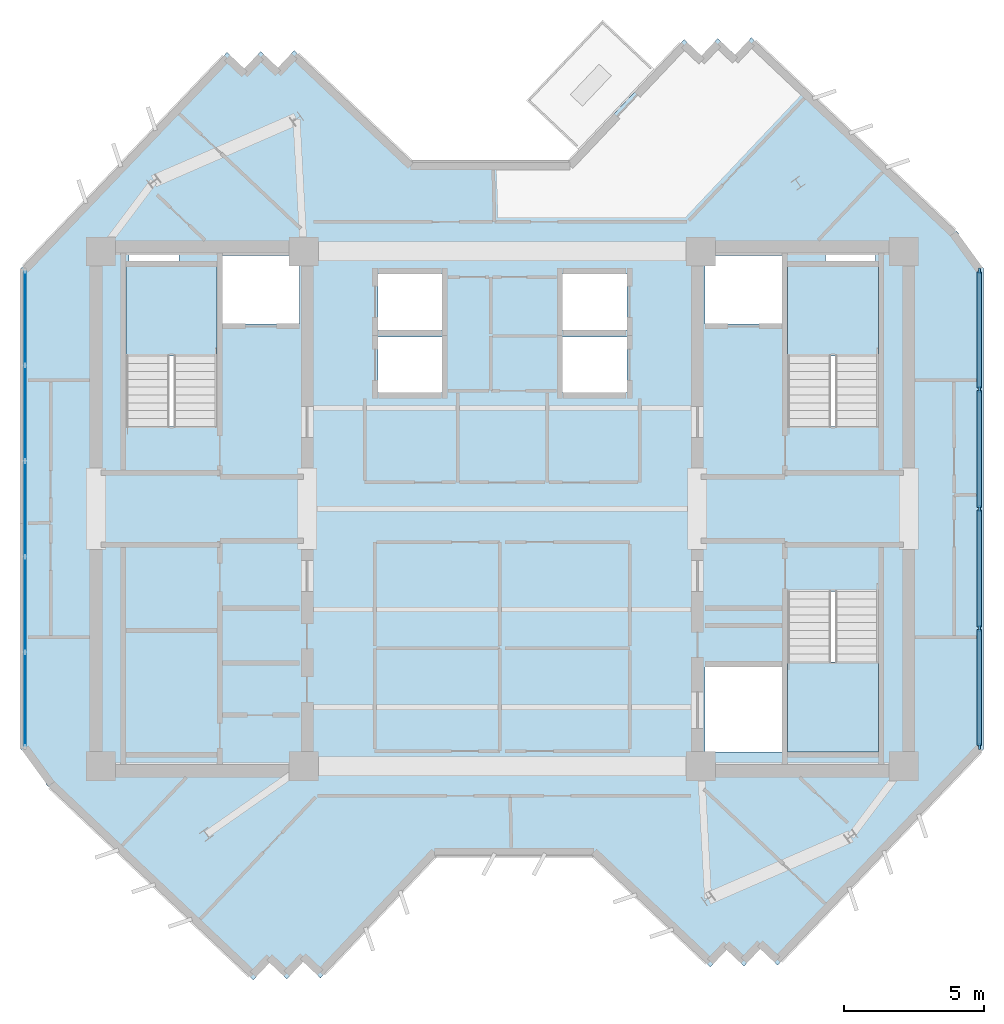
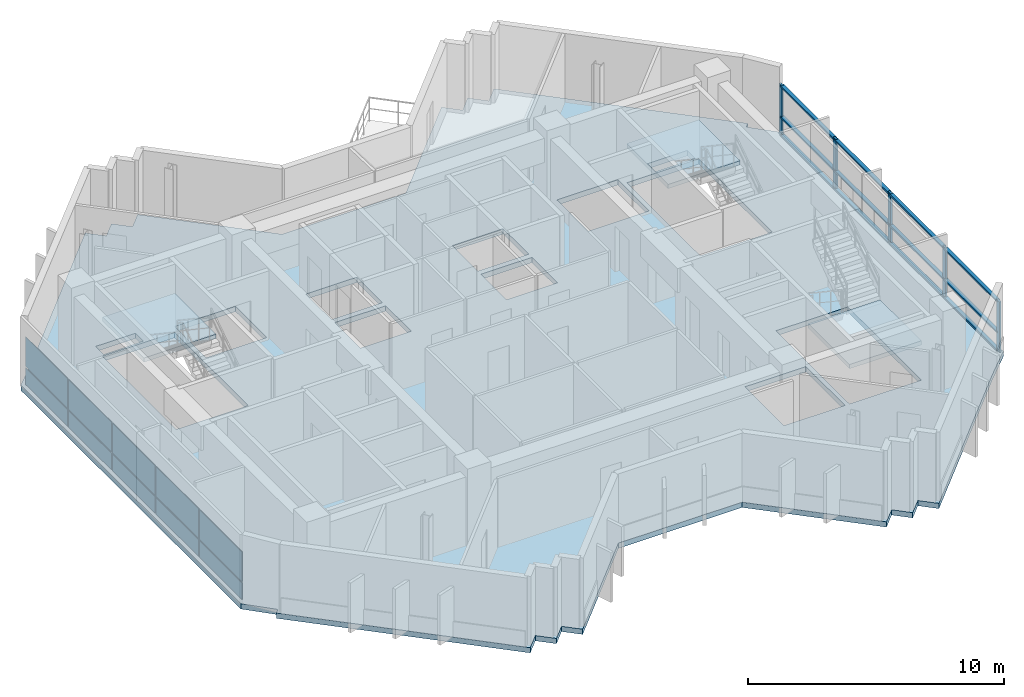
# One storey, part 2 of 9: 17 members, 10 plates, 4 slabs, 5 elements without a shape of their own.
"""IFC4 building model written with IfcOpenShell, lengths in metres."""

from ifc_helpers import new_model, si_unit, direction, frame, origin, origin_2d, place, context, subcontext, project, spatial, polyline, rectangle, outline, extrude, source, transform, mapped, material, layer, layer_set, material_profile, profile_set, type_object, element, aggregate, save


model = new_model("IFC4")

# Units and contexts
model_context = context("Model", 3, precision=1e-05, world=origin(), true_north=direction((0.0, 1.0)))
body_context = subcontext(model_context, "Body", "Model", "MODEL_VIEW")
ifc_project = project(units=[si_unit("LENGTHUNIT", "METRE"), si_unit("AREAUNIT", "SQUARE_METRE"), si_unit("VOLUMEUNIT", "CUBIC_METRE"), si_unit("PLANEANGLEUNIT", "RADIAN"), si_unit("MASSUNIT", "GRAM", prefix="KILO")], contexts=[model_context])

# Site, building, storey
site_placement = place(None, origin())
site = spatial("IfcSite", under=ifc_project, at=site_placement, CompositionType="ELEMENT")
building_placement = place(site_placement, origin())
building = spatial("IfcBuilding", under=site, at=building_placement, Name="Zahravan Cultural Tower", CompositionType="ELEMENT")
storey_placement = place(building_placement, frame((0.0, 0.0, 310.35009765625)))
storey = spatial("IfcBuildingStorey", under=building, at=storey_placement, Name="L75", CompositionType="ELEMENT", Elevation=310.35009765625)

# Curtain wall, members
ifc_material_1 = material(Name="Anodised bronze-aluminium mullion", Category="aluminium")
ifc_layer_1 = layer(ifc_material_1, 0.219970703125)
ifc_layer_set_1 = layer_set([ifc_layer_1], Name="Anodised bronze-aluminium mullion")
curtain_wall_type_1 = type_object("IfcCurtainWallType", Name="CW-SYS-1", PredefinedType="USERDEFINED", material=ifc_layer_set_1)
curtain_wall_1_placement = place(storey_placement, origin())
curtain_wall_1 = element("IfcCurtainWall", 1, at=curtain_wall_1_placement, inside=storey, type_object=curtain_wall_type_1, Name="L75 Recessed Curtain Wall CW-1.1", ObjectType="RECESSED GLAZING", PredefinedType="USERDEFINED")
ifc_material_profile_1 = material_profile(ifc_material_1, rectangle(XDim=0.159912109375, YDim=0.080078125, at=origin_2d()), Name="AL-T80X160")
ifc_profile_set_1 = profile_set([ifc_material_profile_1], Name="Anodised bronze-aluminium mullion")
member_type_1 = type_object("IfcMemberType", Name="CWT-CW-1", PredefinedType="USERDEFINED", material=ifc_profile_set_1)
shared_shape_1 = source(origin(), body_context, "Body", "SweptSolid", [
    extrude(rectangle(XDim=0.159912109375, YDim=0.080078125, at=origin_2d()), origin(), (0.0, 0.0, 1.0), 4.15087890625),
])
member_1_placement = place(storey_placement, frame((53.06005859375, 35.4619140625, 0.039794921875), z_axis=(0.0, -1.0, 0.0), x_axis=(1.0, 0.0, 0.0)))
member_1 = element("IfcMember", 2, at=member_1_placement, type_object=member_type_1, Name="CW-1 transom 1.1", ObjectType="TRANSOM", PredefinedType="USERDEFINED", context=body_context, shape_type="MappedRepresentation", body=[
    mapped(shared_shape_1, transform((0.0, 0.0, 0.0), x_axis=(1.0, 0.0, 0.0), y_axis=(0.0, 1.0, 0.0), z_axis=(0.0, 0.0, 1.0), scale=1.0)),
])
member_2_placement = place(storey_placement, frame((53.06005859375, 35.4619140625, 0.89990234375), z_axis=(0.0, -1.0, 0.0), x_axis=(1.0, 0.0, 0.0)))
member_2 = element("IfcMember", 3, at=member_2_placement, type_object=member_type_1, Name="CW-1 transom 1.2", ObjectType="TRANSOM", PredefinedType="USERDEFINED", context=body_context, shape_type="MappedRepresentation", body=[
    mapped(shared_shape_1, transform((0.0, 0.0, 0.0), x_axis=(1.0, 0.0, 0.0), y_axis=(0.0, 1.0, 0.0), z_axis=(0.0, 0.0, 1.0), scale=1.0)),
])
member_3_placement = place(storey_placement, frame((53.06005859375, 35.4619140625, 2.3798828125), z_axis=(0.0, -1.0, 0.0), x_axis=(1.0, 0.0, 0.0)))
member_3 = element("IfcMember", 4, at=member_3_placement, type_object=member_type_1, Name="CW-1 transom 1.3", ObjectType="TRANSOM", PredefinedType="USERDEFINED", context=body_context, shape_type="MappedRepresentation", body=[
    mapped(shared_shape_1, transform((0.0, 0.0, 0.0), x_axis=(1.0, 0.0, 0.0), y_axis=(0.0, 1.0, 0.0), z_axis=(0.0, 0.0, 1.0), scale=1.0)),
])
member_4_placement = place(storey_placement, frame((53.06005859375, 22.68896484375, 0.039794921875), z_axis=(0.0, -1.0, 0.0), x_axis=(1.0, 0.0, 0.0)))
member_4 = element("IfcMember", 5, at=member_4_placement, type_object=member_type_1, Name="CW-1 transom 4.1", ObjectType="TRANSOM", PredefinedType="USERDEFINED", context=body_context, shape_type="MappedRepresentation", body=[
    mapped(shared_shape_1, transform((0.0, 0.0, 0.0), x_axis=(1.0, 0.0, 0.0), y_axis=(0.0, 1.0, 0.0), z_axis=(0.0, 0.0, 1.0), scale=1.0)),
])
member_5_placement = place(storey_placement, frame((53.06005859375, 22.68896484375, 0.89990234375), z_axis=(0.0, -1.0, 0.0), x_axis=(1.0, 0.0, 0.0)))
member_5 = element("IfcMember", 6, at=member_5_placement, type_object=member_type_1, Name="CW-1 transom 4.2", ObjectType="TRANSOM", PredefinedType="USERDEFINED", context=body_context, shape_type="MappedRepresentation", body=[
    mapped(shared_shape_1, transform((0.0, 0.0, 0.0), x_axis=(1.0, 0.0, 0.0), y_axis=(0.0, 1.0, 0.0), z_axis=(0.0, 0.0, 1.0), scale=1.0)),
])
member_6_placement = place(storey_placement, frame((53.06005859375, 22.68896484375, 2.3798828125), z_axis=(0.0, -1.0, 0.0), x_axis=(1.0, 0.0, 0.0)))
member_6 = element("IfcMember", 7, at=member_6_placement, type_object=member_type_1, Name="CW-1 transom 4.3", ObjectType="TRANSOM", PredefinedType="USERDEFINED", context=body_context, shape_type="MappedRepresentation", body=[
    mapped(shared_shape_1, transform((0.0, 0.0, 0.0), x_axis=(1.0, 0.0, 0.0), y_axis=(0.0, 1.0, 0.0), z_axis=(0.0, 0.0, 1.0), scale=1.0)),
])
shared_shape_2 = source(origin(), body_context, "Body", "SweptSolid", [
    extrude(rectangle(XDim=0.159912109375, YDim=0.080078125, at=origin_2d()), origin(), (0.0, 0.0, 1.0), 4.19091796875),
])
member_7_placement = place(storey_placement, frame((53.06005859375, 31.23095703125, 0.039794921875), z_axis=(0.0, -1.0, 0.0), x_axis=(1.0, 0.0, 0.0)))
member_7 = element("IfcMember", 8, at=member_7_placement, type_object=member_type_1, Name="CW-1 transom 2.1", ObjectType="TRANSOM", PredefinedType="USERDEFINED", context=body_context, shape_type="MappedRepresentation", body=[
    mapped(shared_shape_2, transform((0.0, 0.0, 0.0), x_axis=(1.0, 0.0, 0.0), y_axis=(0.0, 1.0, 0.0), z_axis=(0.0, 0.0, 1.0), scale=1.0)),
])
member_8_placement = place(storey_placement, frame((53.06005859375, 31.23095703125, 0.89990234375), z_axis=(0.0, -1.0, 0.0), x_axis=(1.0, 0.0, 0.0)))
member_8 = element("IfcMember", 9, at=member_8_placement, type_object=member_type_1, Name="CW-1 transom 2.2", ObjectType="TRANSOM", PredefinedType="USERDEFINED", context=body_context, shape_type="MappedRepresentation", body=[
    mapped(shared_shape_2, transform((0.0, 0.0, 0.0), x_axis=(1.0, 0.0, 0.0), y_axis=(0.0, 1.0, 0.0), z_axis=(0.0, 0.0, 1.0), scale=1.0)),
])
member_9_placement = place(storey_placement, frame((53.06005859375, 31.23095703125, 2.3798828125), z_axis=(0.0, -1.0, 0.0), x_axis=(1.0, 0.0, 0.0)))
member_9 = element("IfcMember", 10, at=member_9_placement, type_object=member_type_1, Name="CW-1 transom 2.3", ObjectType="TRANSOM", PredefinedType="USERDEFINED", context=body_context, shape_type="MappedRepresentation", body=[
    mapped(shared_shape_2, transform((0.0, 0.0, 0.0), x_axis=(1.0, 0.0, 0.0), y_axis=(0.0, 1.0, 0.0), z_axis=(0.0, 0.0, 1.0), scale=1.0)),
])
member_10_placement = place(storey_placement, frame((53.06005859375, 26.9599609375, 0.039794921875), z_axis=(0.0, -1.0, 0.0), x_axis=(1.0, 0.0, 0.0)))
member_10 = element("IfcMember", 11, at=member_10_placement, type_object=member_type_1, Name="CW-1 transom 3.1", ObjectType="TRANSOM", PredefinedType="USERDEFINED", context=body_context, shape_type="MappedRepresentation", body=[
    mapped(shared_shape_2, transform((0.0, 0.0, 0.0), x_axis=(1.0, 0.0, 0.0), y_axis=(0.0, 1.0, 0.0), z_axis=(0.0, 0.0, 1.0), scale=1.0)),
])
member_11_placement = place(storey_placement, frame((53.06005859375, 26.9599609375, 0.89990234375), z_axis=(0.0, -1.0, 0.0), x_axis=(1.0, 0.0, 0.0)))
member_11 = element("IfcMember", 12, at=member_11_placement, type_object=member_type_1, Name="CW-1 transom 3.2", ObjectType="TRANSOM", PredefinedType="USERDEFINED", context=body_context, shape_type="MappedRepresentation", body=[
    mapped(shared_shape_2, transform((0.0, 0.0, 0.0), x_axis=(1.0, 0.0, 0.0), y_axis=(0.0, 1.0, 0.0), z_axis=(0.0, 0.0, 1.0), scale=1.0)),
])
member_12_placement = place(storey_placement, frame((53.06005859375, 26.9599609375, 2.3798828125), z_axis=(0.0, -1.0, 0.0), x_axis=(1.0, 0.0, 0.0)))
member_12 = element("IfcMember", 13, at=member_12_placement, type_object=member_type_1, Name="CW-1 transom 3.3", ObjectType="TRANSOM", PredefinedType="USERDEFINED", context=body_context, shape_type="MappedRepresentation", body=[
    mapped(shared_shape_2, transform((0.0, 0.0, 0.0), x_axis=(1.0, 0.0, 0.0), y_axis=(0.0, 1.0, 0.0), z_axis=(0.0, 0.0, 1.0), scale=1.0)),
])
ifc_material_profile_2 = material_profile(ifc_material_1, rectangle(XDim=0.080078125, YDim=0.219970703125, at=origin_2d()), Name="AL-M80X220")
ifc_profile_set_2 = profile_set([ifc_material_profile_2], Name="Anodised bronze-aluminium mullion")
member_type_2 = type_object("IfcMemberType", Name="CWM-CW-1", PredefinedType="MULLION", material=ifc_profile_set_2)
shared_shape_3 = source(origin(), body_context, "Body", "SweptSolid", [
    extrude(rectangle(XDim=0.080078125, YDim=0.219970703125, at=origin_2d()), origin(), (0.0, 0.0, 1.0), 2.419921875),
])
member_13_placement = place(storey_placement, frame((53.06005859375, 35.501953125, 0.0), z_axis=(0.0, 0.0, 1.0), x_axis=(1.0, 0.0, 0.0)))
member_13 = element("IfcMember", 14, at=member_13_placement, type_object=member_type_2, Name="CW-1 mullion 1", PredefinedType="MULLION", context=body_context, shape_type="MappedRepresentation", body=[
    mapped(shared_shape_3, transform((0.0, 0.0, 0.0), x_axis=(1.0, 0.0, 0.0), y_axis=(0.0, 1.0, 0.0), z_axis=(0.0, 0.0, 1.0), scale=1.0)),
])
member_14_placement = place(storey_placement, frame((53.06005859375, 31.27099609375, 0.0), z_axis=(0.0, 0.0, 1.0), x_axis=(1.0, 0.0, 0.0)))
member_14 = element("IfcMember", 15, at=member_14_placement, type_object=member_type_2, Name="CW-1 mullion 2", PredefinedType="MULLION", context=body_context, shape_type="MappedRepresentation", body=[
    mapped(shared_shape_3, transform((0.0, 0.0, 0.0), x_axis=(1.0, 0.0, 0.0), y_axis=(0.0, 1.0, 0.0), z_axis=(0.0, 0.0, 1.0), scale=1.0)),
])
member_15_placement = place(storey_placement, frame((53.06005859375, 27.0, 0.0), z_axis=(0.0, 0.0, 1.0), x_axis=(1.0, 0.0, 0.0)))
member_15 = element("IfcMember", 16, at=member_15_placement, type_object=member_type_2, Name="CW-1 mullion 3", PredefinedType="MULLION", context=body_context, shape_type="MappedRepresentation", body=[
    mapped(shared_shape_3, transform((0.0, 0.0, 0.0), x_axis=(1.0, 0.0, 0.0), y_axis=(0.0, 1.0, 0.0), z_axis=(0.0, 0.0, 1.0), scale=1.0)),
])
member_16_placement = place(storey_placement, frame((53.06005859375, 22.72900390625, 0.0), z_axis=(0.0, 0.0, 1.0), x_axis=(1.0, 0.0, 0.0)))
member_16 = element("IfcMember", 17, at=member_16_placement, type_object=member_type_2, Name="CW-1 mullion 4", PredefinedType="MULLION", context=body_context, shape_type="MappedRepresentation", body=[
    mapped(shared_shape_3, transform((0.0, 0.0, 0.0), x_axis=(1.0, 0.0, 0.0), y_axis=(0.0, 1.0, 0.0), z_axis=(0.0, 0.0, 1.0), scale=1.0)),
])
member_17_placement = place(storey_placement, frame((53.06005859375, 18.498046875, 0.0), z_axis=(0.0, 0.0, 1.0), x_axis=(1.0, 0.0, 0.0)))
member_17 = element("IfcMember", 18, at=member_17_placement, type_object=member_type_2, Name="CW-1 mullion 5", PredefinedType="MULLION", context=body_context, shape_type="MappedRepresentation", body=[
    mapped(shared_shape_3, transform((0.0, 0.0, 0.0), x_axis=(1.0, 0.0, 0.0), y_axis=(0.0, 1.0, 0.0), z_axis=(0.0, 0.0, 1.0), scale=1.0)),
])
aggregate(curtain_wall_1, [member_13, member_14, member_15, member_16, member_17, member_1, member_2, member_3, member_7, member_8, member_9, member_10, member_11, member_12, member_4, member_5, member_6])

# Stair, slab
ifc_material_2 = material(Name="Concrete C45/55", Category="concrete")
stair_type = type_object("IfcStairType", Name="STR-DL-1550-375", PredefinedType="HALF_TURN_STAIR", material=ifc_material_2)
stair_1_placement = place(storey_placement, origin())
stair_1 = element("IfcStair", 19, at=stair_1_placement, inside=storey, type_object=stair_type, Name="L75 West Core North Exit Stair ST-W1", PredefinedType="HALF_TURN_STAIR")
ifc_layer_2 = layer(ifc_material_2, 0.199951171875)
ifc_layer_set_2 = layer_set([ifc_layer_2], Name="Concrete C45/55")
slab_type_1 = type_object("IfcSlabType", Name="SL-STAIR-LND200", PredefinedType="LANDING", material=ifc_layer_set_2)
slab_1_placement = place(storey_placement, frame((0.0, 0.0, 1.6748046875)))
slab_1 = element("IfcSlab", 20, at=slab_1_placement, type_object=slab_type_1, Name="ST-W1 landing 1", PredefinedType="LANDING", context=body_context, shape_type="SweptSolid", body=[
    extrude(outline(polyline([(25.800048828125, 32.469970703125), (25.800048828125, 35.699951171875), (22.550048828125, 35.699951171875), (22.550048828125, 32.469970703125), (25.800048828125, 32.469970703125)])), origin(), (0.0, 0.0, 1.0), 0.2001953125),
])
aggregate(stair_1, [slab_1])

stair_2_placement = place(storey_placement, origin())
stair_2 = element("IfcStair", 21, at=stair_2_placement, inside=storey, type_object=stair_type, Name="L75 East Core North Exit Stair ST-E1", PredefinedType="HALF_TURN_STAIR")
slab_2_placement = place(storey_placement, frame((0.0, 0.0, 1.6748046875)))
slab_2 = element("IfcSlab", 22, at=slab_2_placement, type_object=slab_type_1, Name="ST-E1 landing 1", PredefinedType="LANDING", context=body_context, shape_type="SweptSolid", body=[
    extrude(outline(polyline([(49.449951171875, 32.469970703125), (49.449951171875, 35.699951171875), (46.199951171875, 35.699951171875), (46.199951171875, 32.469970703125), (49.449951171875, 32.469970703125)])), origin(), (0.0, 0.0, 1.0), 0.2001953125),
])
aggregate(stair_2, [slab_2])

stair_3_placement = place(storey_placement, origin())
stair_3 = element("IfcStair", 23, at=stair_3_placement, inside=storey, type_object=stair_type, Name="L75 East Core South Exit Stair ST-E2", PredefinedType="HALF_TURN_STAIR")
slab_3_placement = place(storey_placement, frame((0.0, 0.0, 1.6748046875)))
slab_3 = element("IfcSlab", 24, at=slab_3_placement, type_object=slab_type_1, Name="ST-E2 landing 1", PredefinedType="LANDING", context=body_context, shape_type="SweptSolid", body=[
    extrude(outline(polyline([(46.199951171875, 21.530029296875), (46.199951171875, 18.300048828125), (49.449951171875, 18.300048828125), (49.449951171875, 21.530029296875), (46.199951171875, 21.530029296875)])), origin(), (0.0, 0.0, 1.0), 0.2001953125),
])
aggregate(stair_3, [slab_3])

# Slab
ifc_material_3 = material(Name="Concrete C40/50", Category="concrete")
ifc_layer_3 = layer(ifc_material_3, 0.25)
ifc_layer_set_3 = layer_set([ifc_layer_3], Name="Concrete C40/50")
slab_type_2 = type_object("IfcSlabType", Name="SL-TYP-250", PredefinedType="FLOOR", material=ifc_layer_set_3)
slab_4_placement = place(storey_placement, frame((0.0, 0.0, -0.25)))
element("IfcSlab", 25, at=slab_4_placement, inside=storey, type_object=slab_type_2, Name="L75 Structural Floor Slab", PredefinedType="FLOOR", context=body_context, shape_type="SweptSolid", body=[
    extrude(outline(polyline([(38.36279296875, 39.39990234375), (32.779541015625, 39.39990234375), (28.562744140625, 43.385498046875), (27.978759765625, 42.767578125), (27.361083984375, 43.3515625), (26.777099609375, 42.733642578125), (26.159423828125, 43.317626953125), (19.99365234375, 36.793701171875), (18.800048828125, 35.60009765625), (18.800048828125, 18.39990234375), (19.8564453125, 17.343505859375), (19.682373046875, 17.159423828125), (27.095458984375, 10.1533203125), (27.679443359375, 10.77099609375), (28.297119140625, 10.187255859375), (28.881103515625, 10.804931640625), (29.498779296875, 10.22119140625), (33.63720703125, 14.60009765625), (39.220458984375, 14.60009765625), (43.437255859375, 10.614501953125), (44.021240234375, 11.232421875), (44.638916015625, 10.6484375), (45.222900390625, 11.266357421875), (45.840576171875, 10.682373046875), (52.00634765625, 17.206298828125), (53.199951171875, 18.39990234375), (53.199951171875, 35.60009765625), (52.1435546875, 36.656494140625), (52.317626953125, 36.840576171875), (44.904541015625, 43.8466796875), (44.320556640625, 43.22900390625), (43.702880859375, 43.812744140625), (43.118896484375, 43.195068359375), (42.501220703125, 43.77880859375), (38.36279296875, 39.39990234375)]), holes=[polyline([(22.550048828125, 29.949951171875), (22.550048828125, 35.699951171875), (25.800048828125, 35.699951171875), (25.800048828125, 29.949951171875), (22.550048828125, 29.949951171875)]), polyline([(46.199951171875, 29.949951171875), (46.199951171875, 35.699951171875), (49.449951171875, 35.699951171875), (49.449951171875, 29.949951171875), (46.199951171875, 29.949951171875)]), polyline([(46.199951171875, 18.300048828125), (46.199951171875, 24.050048828125), (49.449951171875, 24.050048828125), (49.449951171875, 18.300048828125), (46.199951171875, 18.300048828125)]), polyline([(26.0, 33.60009765625), (26.0, 36.050048828125), (28.75, 36.050048828125), (28.75, 33.60009765625), (26.0, 33.60009765625)]), polyline([(43.25, 33.60009765625), (43.25, 36.050048828125), (46.0, 36.050048828125), (46.0, 33.60009765625), (43.25, 33.60009765625)]), polyline([(43.25, 18.300048828125), (43.25, 21.35009765625), (46.0, 21.35009765625), (46.0, 18.300048828125), (43.25, 18.300048828125)]), polyline([(31.550048828125, 33.39990234375), (31.550048828125, 35.39990234375), (33.85009765625, 35.39990234375), (33.85009765625, 33.39990234375), (31.550048828125, 33.39990234375)]), polyline([(31.550048828125, 31.14990234375), (31.550048828125, 33.14990234375), (33.85009765625, 33.14990234375), (33.85009765625, 31.14990234375), (31.550048828125, 31.14990234375)]), polyline([(38.14990234375, 33.39990234375), (38.14990234375, 35.39990234375), (40.449951171875, 35.39990234375), (40.449951171875, 33.39990234375), (38.14990234375, 33.39990234375)]), polyline([(38.14990234375, 31.14990234375), (38.14990234375, 33.14990234375), (40.449951171875, 33.14990234375), (40.449951171875, 31.14990234375), (38.14990234375, 31.14990234375)]), polyline([(22.64990234375, 35.800048828125), (22.64990234375, 36.419921875), (24.449951171875, 36.419921875), (24.449951171875, 35.800048828125), (22.64990234375, 35.800048828125)]), polyline([(47.550048828125, 35.800048828125), (47.550048828125, 36.419921875), (49.35009765625, 36.419921875), (49.35009765625, 35.800048828125), (47.550048828125, 35.800048828125)])]), origin(), (0.0, 0.0, 1.0), 0.25),
])

# Curtain wall, plates
ifc_layer_4 = layer(ifc_material_1, 0.199951171875)
ifc_layer_set_4 = layer_set([ifc_layer_4], Name="Anodised bronze-aluminium mullion")
curtain_wall_type_2 = type_object("IfcCurtainWallType", Name="CW-SYS-2", PredefinedType="USERDEFINED", material=ifc_layer_set_4)
curtain_wall_2_placement = place(storey_placement, origin())
curtain_wall_2 = element("IfcCurtainWall", 26, at=curtain_wall_2_placement, inside=storey, type_object=curtain_wall_type_2, Name="L75 Recessed Curtain Wall CW-2.2", ObjectType="RECESSED GLAZING", PredefinedType="USERDEFINED")
ifc_material_4 = material(Name="Low-E solar-control double glazing", Category="glass")
ifc_layer_5 = layer(ifc_material_4, 0.030029296875)
ifc_layer_set_5 = layer_set([ifc_layer_5], Name="Low-E solar-control double glazing")
plate_type = type_object("IfcPlateType", Name="CWP-CW-2", PredefinedType="CURTAIN_PANEL", material=ifc_layer_set_5)
shared_shape_4 = source(origin(), body_context, "Body", "SweptSolid", [
    extrude(rectangle(XDim=3.30419921875, YDim=0.030029296875, at=origin_2d()), origin(), (0.0, 0.0, 1.0), 0.78759765625),
])
plate_1_placement = place(storey_placement, frame((18.93994140625, 20.18505859375, 0.074951171875), z_axis=(0.0, 0.0, 1.0), x_axis=(0.0, 1.0, 0.0)))
plate_1 = element("IfcPlate", 27, at=plate_1_placement, type_object=plate_type, Name="CW-2 panel 1.1", PredefinedType="CURTAIN_PANEL", context=body_context, shape_type="MappedRepresentation", body=[
    mapped(shared_shape_4, transform((0.0, 0.0, 0.0), x_axis=(1.0, 0.0, 0.0), y_axis=(0.0, 1.0, 0.0), z_axis=(0.0, 0.0, 1.0), scale=1.0)),
])
plate_2_placement = place(storey_placement, frame((18.93994140625, 33.81494140625, 0.074951171875), z_axis=(0.0, 0.0, 1.0), x_axis=(0.0, 1.0, 0.0)))
plate_2 = element("IfcPlate", 28, at=plate_2_placement, type_object=plate_type, Name="CW-2 panel 5.1", PredefinedType="CURTAIN_PANEL", context=body_context, shape_type="MappedRepresentation", body=[
    mapped(shared_shape_4, transform((0.0, 0.0, 0.0), x_axis=(1.0, 0.0, 0.0), y_axis=(0.0, 1.0, 0.0), z_axis=(0.0, 0.0, 1.0), scale=1.0)),
])
shared_shape_5 = source(origin(), body_context, "Body", "SweptSolid", [
    extrude(rectangle(XDim=3.341796875, YDim=0.030029296875, at=origin_2d()), origin(), (0.0, 0.0, 1.0), 0.78759765625),
])
plate_3_placement = place(storey_placement, frame((18.93994140625, 23.583251953125, 0.074951171875), z_axis=(0.0, 0.0, 1.0), x_axis=(0.0, 1.0, 0.0)))
plate_3 = element("IfcPlate", 29, at=plate_3_placement, type_object=plate_type, Name="CW-2 panel 2.1", PredefinedType="CURTAIN_PANEL", context=body_context, shape_type="MappedRepresentation", body=[
    mapped(shared_shape_5, transform((0.0, 0.0, 0.0), x_axis=(1.0, 0.0, 0.0), y_axis=(0.0, 1.0, 0.0), z_axis=(0.0, 0.0, 1.0), scale=1.0)),
])
plate_4_placement = place(storey_placement, frame((18.93994140625, 27.0, 0.074951171875), z_axis=(0.0, 0.0, 1.0), x_axis=(0.0, 1.0, 0.0)))
plate_4 = element("IfcPlate", 30, at=plate_4_placement, type_object=plate_type, Name="CW-2 panel 3.1", PredefinedType="CURTAIN_PANEL", context=body_context, shape_type="MappedRepresentation", body=[
    mapped(shared_shape_5, transform((0.0, 0.0, 0.0), x_axis=(1.0, 0.0, 0.0), y_axis=(0.0, 1.0, 0.0), z_axis=(0.0, 0.0, 1.0), scale=1.0)),
])
plate_5_placement = place(storey_placement, frame((18.93994140625, 30.416748046875, 0.074951171875), z_axis=(0.0, 0.0, 1.0), x_axis=(0.0, 1.0, 0.0)))
plate_5 = element("IfcPlate", 31, at=plate_5_placement, type_object=plate_type, Name="CW-2 panel 4.1", PredefinedType="CURTAIN_PANEL", context=body_context, shape_type="MappedRepresentation", body=[
    mapped(shared_shape_5, transform((0.0, 0.0, 0.0), x_axis=(1.0, 0.0, 0.0), y_axis=(0.0, 1.0, 0.0), z_axis=(0.0, 0.0, 1.0), scale=1.0)),
])
shared_shape_6 = source(origin(), body_context, "Body", "SweptSolid", [
    extrude(rectangle(XDim=3.30419921875, YDim=0.030029296875, at=origin_2d()), origin(), (0.0, 0.0, 1.0), 1.407470703125),
])
plate_6_placement = place(storey_placement, frame((18.93994140625, 20.18505859375, 0.9375), z_axis=(0.0, 0.0, 1.0), x_axis=(0.0, 1.0, 0.0)))
plate_6 = element("IfcPlate", 32, at=plate_6_placement, type_object=plate_type, Name="CW-2 panel 1.2", PredefinedType="CURTAIN_PANEL", context=body_context, shape_type="MappedRepresentation", body=[
    mapped(shared_shape_6, transform((0.0, 0.0, 0.0), x_axis=(1.0, 0.0, 0.0), y_axis=(0.0, 1.0, 0.0), z_axis=(0.0, 0.0, 1.0), scale=1.0)),
])
plate_7_placement = place(storey_placement, frame((18.93994140625, 33.81494140625, 0.9375), z_axis=(0.0, 0.0, 1.0), x_axis=(0.0, 1.0, 0.0)))
plate_7 = element("IfcPlate", 33, at=plate_7_placement, type_object=plate_type, Name="CW-2 panel 5.2", PredefinedType="CURTAIN_PANEL", context=body_context, shape_type="MappedRepresentation", body=[
    mapped(shared_shape_6, transform((0.0, 0.0, 0.0), x_axis=(1.0, 0.0, 0.0), y_axis=(0.0, 1.0, 0.0), z_axis=(0.0, 0.0, 1.0), scale=1.0)),
])
shared_shape_7 = source(origin(), body_context, "Body", "SweptSolid", [
    extrude(rectangle(XDim=3.341796875, YDim=0.030029296875, at=origin_2d()), origin(), (0.0, 0.0, 1.0), 1.407470703125),
])
plate_8_placement = place(storey_placement, frame((18.93994140625, 23.583251953125, 0.9375), z_axis=(0.0, 0.0, 1.0), x_axis=(0.0, 1.0, 0.0)))
plate_8 = element("IfcPlate", 34, at=plate_8_placement, type_object=plate_type, Name="CW-2 panel 2.2", PredefinedType="CURTAIN_PANEL", context=body_context, shape_type="MappedRepresentation", body=[
    mapped(shared_shape_7, transform((0.0, 0.0, 0.0), x_axis=(1.0, 0.0, 0.0), y_axis=(0.0, 1.0, 0.0), z_axis=(0.0, 0.0, 1.0), scale=1.0)),
])
plate_9_placement = place(storey_placement, frame((18.93994140625, 27.0, 0.9375), z_axis=(0.0, 0.0, 1.0), x_axis=(0.0, 1.0, 0.0)))
plate_9 = element("IfcPlate", 35, at=plate_9_placement, type_object=plate_type, Name="CW-2 panel 3.2", PredefinedType="CURTAIN_PANEL", context=body_context, shape_type="MappedRepresentation", body=[
    mapped(shared_shape_7, transform((0.0, 0.0, 0.0), x_axis=(1.0, 0.0, 0.0), y_axis=(0.0, 1.0, 0.0), z_axis=(0.0, 0.0, 1.0), scale=1.0)),
])
plate_10_placement = place(storey_placement, frame((18.93994140625, 30.416748046875, 0.9375), z_axis=(0.0, 0.0, 1.0), x_axis=(0.0, 1.0, 0.0)))
plate_10 = element("IfcPlate", 36, at=plate_10_placement, type_object=plate_type, Name="CW-2 panel 4.2", PredefinedType="CURTAIN_PANEL", context=body_context, shape_type="MappedRepresentation", body=[
    mapped(shared_shape_7, transform((0.0, 0.0, 0.0), x_axis=(1.0, 0.0, 0.0), y_axis=(0.0, 1.0, 0.0), z_axis=(0.0, 0.0, 1.0), scale=1.0)),
])
aggregate(curtain_wall_2, [plate_1, plate_6, plate_3, plate_8, plate_4, plate_9, plate_5, plate_10, plate_2, plate_7])

save(model, "model.ifc")
